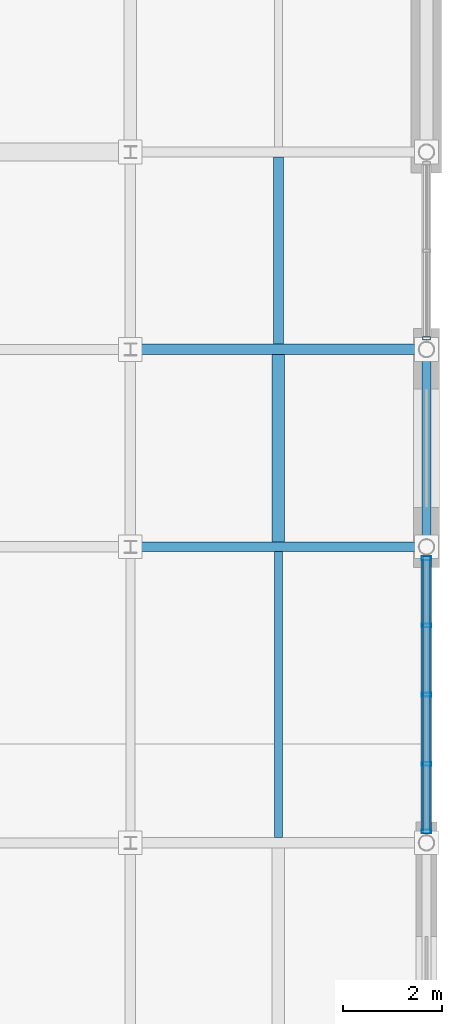
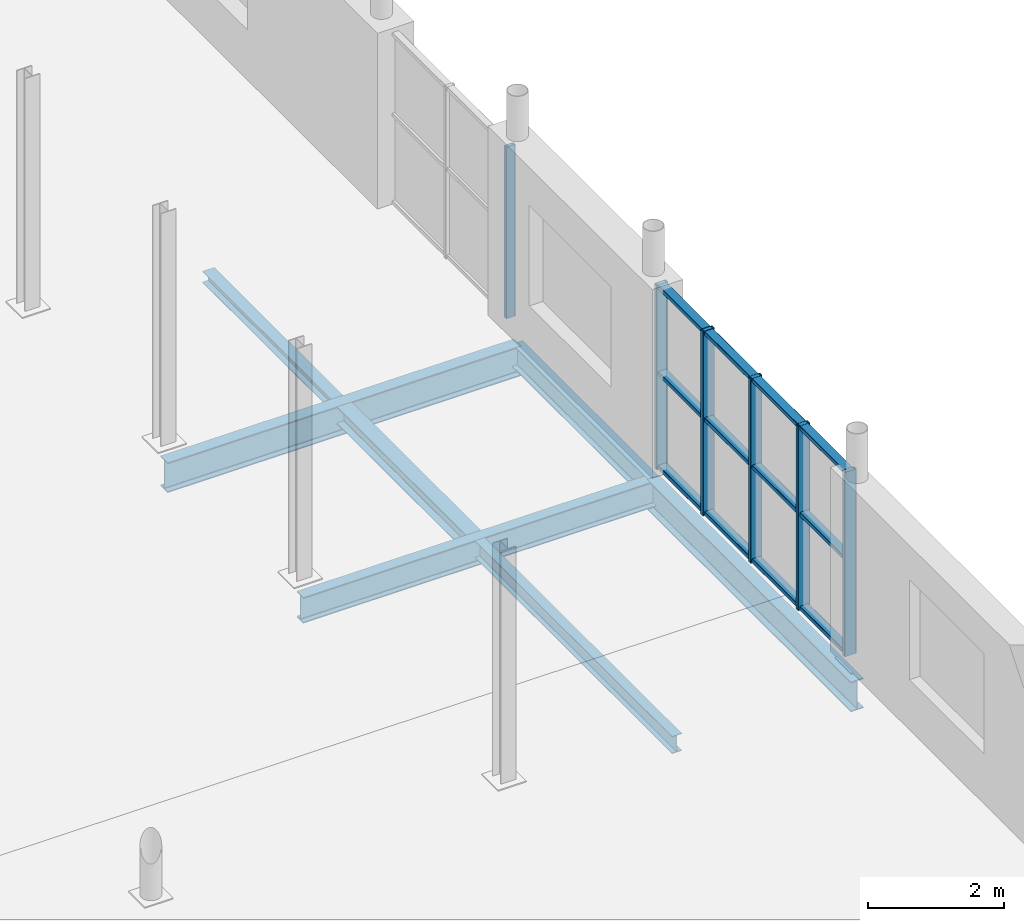
# One storey, part 17 of 30: 9 members, 7 beams, 2 elements without a shape of their own.
"""IFC4 building model written with IfcOpenShell, lengths in metres."""

import ifcopenshell
import ifcopenshell.guid

model = None  # the IFC model being written
_history = None  # IfcOwnerHistory: only IFC2X3 demands one
_inside = {}  # id of a spatial element -> (the spatial element, [elements in it])
_under = {}  # id of a project, library or spatial element -> (it, [spatial elements below it])
_declared = {}  # id of a project -> (the project, [libraries it declares])
_typed = {}  # id of a type object -> (the type object, [elements of that type])
_made_of = {}  # id of a material, layer set ... -> (it, [elements and type objects made of it])


def new_model(schema):
    """Start an empty IFC model of exactly this schema.

    Asked for "IFC4X3", IfcOpenShell would pick the latest addendum, in which some entities
    have other attributes; the version numbers below select the first issue.
    IFC2X3 requires an IfcOwnerHistory on every rooted entity: one is made here for all.
    """
    global model, _history
    if schema == "IFC4X3":
        model = ifcopenshell.file(schema_version=(4, 3, 0, 0))
    else:
        model = ifcopenshell.file(schema=schema)
    _inside.clear()
    _under.clear()
    _declared.clear()
    _typed.clear()
    _made_of.clear()
    _history = None
    if model.schema == "IFC2X3":
        org = make("IfcOrganization", Name="unknown")
        user = make(
            "IfcPersonAndOrganization",
            ThePerson=make("IfcPerson", FamilyName="unknown"),
            TheOrganization=org,
        )
        app = make(
            "IfcApplication",
            ApplicationDeveloper=org,
            Version="unknown",
            ApplicationFullName="unknown",
            ApplicationIdentifier="unknown",
        )
        _history = make(
            "IfcOwnerHistory",
            OwningUser=user,
            OwningApplication=app,
            ChangeAction="ADDED",
            CreationDate=0,
        )
    return model


def make(cls, **values):
    """One entity of the class cls with the attributes given. An attribute that is None is left unset."""
    return model.create_entity(
        cls, **{name: value for name, value in values.items() if value is not None}
    )


def rooted(cls, **values):
    """An entity with a GlobalId (a new one), such as an element, a storey or a relation."""
    return make(cls, GlobalId=ifcopenshell.guid.new(), OwnerHistory=_history, **values)


def si_unit(unit_type, name, prefix=None):
    """IfcSIUnit, for example si_unit("LENGTHUNIT", "METRE", prefix="MILLI")."""
    return make("IfcSIUnit", UnitType=unit_type, Prefix=prefix, Name=name)


def assignment(units):
    """IfcUnitAssignment: the units of a project."""
    return None if units is None else make("IfcUnitAssignment", Units=units)


def point(xyz):
    """IfcCartesianPoint."""
    return None if xyz is None else make("IfcCartesianPoint", Coordinates=xyz)


def direction(xyz):
    """IfcDirection."""
    return None if xyz is None else make("IfcDirection", DirectionRatios=xyz)


def frame(location, z_axis=None, x_axis=None):
    """IfcAxis2Placement3D, a coordinate frame: its origin and axes. An axis left out is left unset."""
    return make(
        "IfcAxis2Placement3D",
        Location=point(location),
        Axis=direction(z_axis),
        RefDirection=direction(x_axis),
    )


def frame_2d(location, x_axis=None):
    """IfcAxis2Placement2D, a coordinate frame in the plane: its origin and x axis."""
    return make(
        "IfcAxis2Placement2D", Location=point(location), RefDirection=direction(x_axis)
    )


def origin():
    """The frame at (0, 0, 0) with its axes left unset."""
    return frame((0.0, 0.0, 0.0))


def origin_2d():
    """The frame at (0, 0) in the plane with its x axis left unset."""
    return frame_2d((0.0, 0.0))


def place(relative_to, where):
    """IfcLocalPlacement: puts the frame where relative to a parent placement (None: the world)."""
    return make(
        "IfcLocalPlacement", PlacementRelTo=relative_to, RelativePlacement=where
    )


def context(
    kind, dimensions, precision=None, world=None, true_north=None, identifier=None
):
    """IfcGeometricRepresentationContext, for example the 3D "Model" context."""
    return make(
        "IfcGeometricRepresentationContext",
        ContextIdentifier=identifier,
        ContextType=kind,
        CoordinateSpaceDimension=dimensions,
        Precision=precision,
        WorldCoordinateSystem=world,
        TrueNorth=true_north,
    )


def subcontext(parent, identifier, kind, view, scale=None):
    """IfcGeometricRepresentationSubContext, for example "Body" below "Model"."""
    return make(
        "IfcGeometricRepresentationSubContext",
        ContextIdentifier=identifier,
        ContextType=kind,
        ParentContext=parent,
        TargetScale=scale,
        TargetView=view,
    )


def project(units=None, contexts=None):
    """IfcProject with its units and contexts."""
    return rooted(
        "IfcProject",
        Name="project",
        RepresentationContexts=contexts,
        UnitsInContext=assignment(units),
    )


def spatial(cls, under=None, at=None, **own):
    """A site, building, storey or space (cls), placed at a placement, below another one or the project."""
    s = rooted(cls, ObjectPlacement=at, **own)
    if under is not None:
        _under.setdefault(under.id(), (under, []))[1].append(s)
    return s


def profile(cls, at=None, kind="AREA", **sizes):
    """A parametric profile (cls). Its sizes go by their IFC names, for example OverallWidth=200.0."""
    return make(cls, ProfileType=kind, Position=at, **sizes)


def hollow_rectangle(**sizes):
    """IfcRectangleHollowProfileDef."""
    return profile("IfcRectangleHollowProfileDef", **sizes)


def i_section(**sizes):
    """IfcIShapeProfileDef."""
    return profile("IfcIShapeProfileDef", **sizes)


def extrude(swept, where, along, depth):
    """IfcExtrudedAreaSolid: the profile swept, set in the frame where, extruded along a direction by depth."""
    return make(
        "IfcExtrudedAreaSolid",
        SweptArea=swept,
        Position=where,
        ExtrudedDirection=direction(along),
        Depth=depth,
    )


def shape(context_of_items, identifier, shape_type, items):
    """IfcShapeRepresentation: the items that make up one representation, for example the "Body"."""
    return make(
        "IfcShapeRepresentation",
        ContextOfItems=context_of_items,
        RepresentationIdentifier=identifier,
        RepresentationType=shape_type,
        Items=items,
    )


def material(Name=None, Category=None):
    """IfcMaterial."""
    return make("IfcMaterial", Name=Name, Category=Category)


def material_profile(
    of_material, cross_section, Name=None, Category=None, Priority=None
):
    """IfcMaterialProfile: a cross section and its material."""
    return make(
        "IfcMaterialProfile",
        Name=Name,
        Material=of_material,
        Profile=cross_section,
        Priority=Priority,
        Category=Category,
    )


def profile_set(profiles, Name=None, composite=None):
    """IfcMaterialProfileSet."""
    return make(
        "IfcMaterialProfileSet",
        Name=Name,
        MaterialProfiles=profiles,
        CompositeProfile=composite,
    )


def made_of(thing, what):
    """Note that an element or type object is made of a material, layer set ...; save() writes the relation."""
    if what is not None:
        _made_of.setdefault(what.id(), (what, []))[1].append(thing)
    return thing


def type_object(cls, material=None, **own):
    """A type object (cls), such as IfcWallType, which elements share."""
    return made_of(rooted(cls, **own), material)


def element(
    cls,
    number,
    at=None,
    inside=None,
    cuts=None,
    type_object=None,
    material=None,
    context=None,
    identifier="Body",
    shape_type=None,
    held_by="IfcProductDefinitionShape",
    body=None,
    shapes=None,
    **own,
):
    """One element of the class cls, such as IfcWall. Its Tag is "e" and its number.

    at: its placement. inside: the storey or other place that contains it. cuts: it is an
    opening in that element (IfcRelVoidsElement). A single representation is given by context,
    identifier, shape_type and body (its items); several are given by shapes. held_by: the class
    of the entity that holds the representations. save() writes the other relations.
    """
    e = rooted(cls, Tag="e%d" % number, ObjectPlacement=at, **own)
    if body is not None:
        shapes = [shape(context, identifier, shape_type, body)]
    if shapes is not None:
        e.Representation = make(held_by, Representations=shapes)
    if inside is not None:
        _inside.setdefault(inside.id(), (inside, []))[1].append(e)
    if cuts is not None:
        rooted(
            "IfcRelVoidsElement", RelatingBuildingElement=cuts, RelatedOpeningElement=e
        )
    if type_object is not None:
        _typed.setdefault(type_object.id(), (type_object, []))[1].append(e)
    return made_of(e, material)


def aggregate(whole, parts):
    """IfcRelAggregates: a whole, such as a stair, and the parts it consists of."""
    return rooted("IfcRelAggregates", RelatingObject=whole, RelatedObjects=parts)


def save(model, path):
    """Write the relations noted so far, then the file.

    IfcRelAggregates (storeys below a building ...), IfcRelContainedInSpatialStructure (elements
    in a storey), IfcRelDefinesByType, IfcRelAssociatesMaterial and IfcRelDeclares: one each for
    every whole, place, type object, material and project.
    """
    for whole, parts in _under.values():
        aggregate(whole, parts)
    for where, things in _inside.values():
        rooted(
            "IfcRelContainedInSpatialStructure",
            RelatedElements=things,
            RelatingStructure=where,
        )
    for kind, things in _typed.values():
        rooted("IfcRelDefinesByType", RelatedObjects=things, RelatingType=kind)
    for what, things in _made_of.values():
        rooted("IfcRelAssociatesMaterial", RelatedObjects=things, RelatingMaterial=what)
    for by, libraries in _declared.values():
        rooted("IfcRelDeclares", RelatingContext=by, RelatedDefinitions=libraries)
    model.write(path)


model = new_model("IFC4")

# Units and contexts
model_context = context("Model", 3, precision=1e-05, world=origin(), true_north=direction((0.0, 1.0)))
body_context = subcontext(model_context, "Body", "Model", "MODEL_VIEW")
ifc_project = project(units=[si_unit("LENGTHUNIT", "METRE"), si_unit("AREAUNIT", "SQUARE_METRE"), si_unit("VOLUMEUNIT", "CUBIC_METRE"), si_unit("PLANEANGLEUNIT", "RADIAN"), si_unit("MASSUNIT", "GRAM", prefix="KILO")], contexts=[model_context])

# Site, building, storey
site_placement = place(None, origin())
site = spatial("IfcSite", under=ifc_project, at=site_placement, CompositionType="ELEMENT")
building_placement = place(site_placement, origin())
building = spatial("IfcBuilding", under=site, at=building_placement, Name="Verrall Gate Interchange", CompositionType="ELEMENT")
storey_placement = place(building_placement, frame((0.0, 0.0, 19.39990234375)))
storey = spatial("IfcBuildingStorey", under=building, at=storey_placement, Name="L05", CompositionType="ELEMENT", Elevation=19.39990234375)

# Beams
ifc_material_1 = material(Name="Structural Steel CSA G40.21 350W", Category="steel")
ifc_material_profile_1 = material_profile(ifc_material_1, i_section(OverallWidth=0.2109375, OverallDepth=0.5390625, WebThickness=0.01171875, FlangeThickness=0.018798828125, FilletRadius=0.013916015625, at=origin_2d()), Name="W530x109")
ifc_profile_set_1 = profile_set([ifc_material_profile_1], Name="Structural Steel CSA G40.21 350W")
beam_type_1 = type_object("IfcBeamType", Name="B-10 Structural Beam W530x109", PredefinedType="BEAM", material=ifc_profile_set_1)
for number, where, z_axis, x_axis, name in (
    (1, (30.0, 44.0, -0.599365234375), (1.0, 0.0, 0.0), (0.0, 1.0, 0.0), "L05 Girder BM-L05-2896 (B-10)"),
    (2, (36.0, 34.0, -0.599365234375), (0.0, 1.0, 0.0), (-1.0, 0.0, 0.0), "L05 Girder BM-L05-2998 (B-10)"),
):
    element("IfcBeam", number, at=place(storey_placement, frame(where, z_axis=z_axis, x_axis=x_axis)), inside=storey, type_object=beam_type_1, Name=name, PredefinedType="BEAM", context=body_context, shape_type="SweptSolid", body=[
        extrude(i_section(OverallWidth=0.2109375, OverallDepth=0.5390625, WebThickness=0.01171875, FlangeThickness=0.018798828125, FilletRadius=0.013916015625, at=origin_2d()), origin(), (0.0, 0.0, 1.0), 6.0),
    ])
ifc_material_2 = material(Name="Structural Steel CSA G40.21 350W", Category="steel")
ifc_material_profile_2 = material_profile(ifc_material_2, i_section(OverallWidth=0.19189453125, OverallDepth=0.462890625, WebThickness=0.010498046875, FlangeThickness=0.017578125, FilletRadius=0.012939453125, at=origin_2d()), Name="W460x89")
ifc_profile_set_2 = profile_set([ifc_material_profile_2], Name="Structural Steel CSA G40.21 350W")
beam_type_2 = type_object("IfcBeamType", Name="B-11 Structural Beam W460x89", PredefinedType="BEAM", material=ifc_profile_set_2)
beam_1_placement = place(storey_placement, frame((30.0, 40.0, -0.5615234375), z_axis=(1.0, 0.0, 0.0), x_axis=(0.0, 1.0, 0.0)))
element("IfcBeam", 3, at=beam_1_placement, inside=storey, type_object=beam_type_2, Name="L05 Girder BM-L05-2890 (B-11)", PredefinedType="BEAM", context=body_context, shape_type="SweptSolid", body=[
    extrude(i_section(OverallWidth=0.19189453125, OverallDepth=0.462890625, WebThickness=0.010498046875, FlangeThickness=0.017578125, FilletRadius=0.012939453125, at=origin_2d()), origin(), (0.0, 0.0, 1.0), 6.0),
])
ifc_material_3 = material(Name="Structural Steel CSA G40.21 350W", Category="steel")
ifc_material_profile_3 = material_profile(ifc_material_3, i_section(OverallWidth=0.178955078125, OverallDepth=0.409912109375, WebThickness=0.0087890625, FlangeThickness=0.014404296875, FilletRadius=0.011962890625, at=origin_2d()), Name="W410x67")
ifc_profile_set_3 = profile_set([ifc_material_profile_3], Name="Structural Steel CSA G40.21 350W")
beam_type_3 = type_object("IfcBeamType", Name="B-12 Structural Beam W410x67", PredefinedType="BEAM", material=ifc_profile_set_3)
beam_2_placement = place(storey_placement, frame((36.0, 40.0, -0.534912109375), z_axis=(0.0, 1.0, 0.0), x_axis=(-1.0, 0.0, 0.0)))
element("IfcBeam", 4, at=beam_2_placement, inside=storey, type_object=beam_type_3, Name="L05 Girder BM-L05-2999 (B-12)", PredefinedType="BEAM", context=body_context, shape_type="SweptSolid", body=[
    extrude(i_section(OverallWidth=0.178955078125, OverallDepth=0.409912109375, WebThickness=0.0087890625, FlangeThickness=0.014404296875, FilletRadius=0.011962890625, at=origin_2d()), origin(), (0.0, 0.0, 1.0), 4.0),
])

# Curtain wall, member
ifc_material_4 = material(Name="Thermally Broken Anodized Aluminium Curtain Wall Framing", Category="aluminium")
curtain_wall_type_1 = type_object("IfcCurtainWallType", Name="CW-17 Unitized Curtain Wall 3631x3100", PredefinedType="NOTDEFINED", material=ifc_material_4)
curtain_wall_1_placement = place(storey_placement, origin())
curtain_wall_1 = element("IfcCurtainWall", 5, at=curtain_wall_1_placement, inside=storey, type_object=curtain_wall_type_1, Name="L05 Unitized Curtain Wall CW-L05-136", PredefinedType="NOTDEFINED")
ifc_material_5 = material(Name="Thermally Broken Anodized Aluminium Curtain Wall Framing", Category="aluminium")
ifc_material_profile_4 = material_profile(ifc_material_5, hollow_rectangle(XDim=0.06494140625, YDim=0.159912109375, WallThickness=0.00390625, InnerFilletRadius=0.00390625, OuterFilletRadius=0.008056640625, at=origin_2d()), Name="CWM160x65x4")
ifc_profile_set_4 = profile_set([ifc_material_profile_4], Name="Thermally Broken Anodized Aluminium Curtain Wall Framing")
member_type_1 = type_object("IfcMemberType", Name="CM-01 Curtain Mullion CWM160x65x4", PredefinedType="MULLION", material=ifc_profile_set_4)
member_1_placement = place(storey_placement, frame((36.0, 44.226318359375, 0.0), z_axis=(0.0, 0.0, 1.0), x_axis=(0.0, 1.0, 0.0)))
member_1 = element("IfcMember", 6, at=member_1_placement, type_object=member_type_1, Name="CW-L05-136 Mullion 1", PredefinedType="MULLION", context=body_context, shape_type="SweptSolid", body=[
    extrude(hollow_rectangle(XDim=0.06494140625, YDim=0.159912109375, WallThickness=0.00390625, InnerFilletRadius=0.00390625, OuterFilletRadius=0.008056640625, at=origin_2d()), origin(), (0.0, 0.0, 1.0), 3.080078125),
])
aggregate(curtain_wall_1, [member_1])

# Curtain wall, members
ifc_material_6 = material(Name="Thermally Broken Anodized Aluminium Curtain Wall Framing", Category="aluminium")
curtain_wall_type_2 = type_object("IfcCurtainWallType", Name="CW-43 Unitized Curtain Wall 5612x3310", PredefinedType="NOTDEFINED", material=ifc_material_6)
curtain_wall_2_placement = place(storey_placement, origin())
curtain_wall_2 = element("IfcCurtainWall", 7, at=curtain_wall_2_placement, inside=storey, type_object=curtain_wall_type_2, Name="L05 Unitized Curtain Wall CW-L05-135", PredefinedType="NOTDEFINED")
ifc_material_7 = material(Name="Thermally Broken Anodized Aluminium Curtain Wall Framing", Category="aluminium")
ifc_material_profile_5 = material_profile(ifc_material_7, hollow_rectangle(XDim=0.074951171875, YDim=0.199951171875, WallThickness=0.0048828125, InnerFilletRadius=0.0048828125, OuterFilletRadius=0.010009765625, at=origin_2d()), Name="CWM200x75x5")
ifc_profile_set_5 = profile_set([ifc_material_profile_5], Name="Thermally Broken Anodized Aluminium Curtain Wall Framing")
member_type_2 = type_object("IfcMemberType", Name="CM-02 Curtain Mullion CWM200x75x5", PredefinedType="MULLION", material=ifc_profile_set_5)
member_2_placement = place(storey_placement, frame((36.0, 34.2314453125, 0.0), z_axis=(0.0, 0.0, 1.0), x_axis=(0.0, 1.0, 0.0)))
member_2 = element("IfcMember", 8, at=member_2_placement, type_object=member_type_2, Name="CW-L05-135 Mullion 1", PredefinedType="MULLION", context=body_context, shape_type="SweptSolid", body=[
    extrude(hollow_rectangle(XDim=0.074951171875, YDim=0.199951171875, WallThickness=0.0048828125, InnerFilletRadius=0.0048828125, OuterFilletRadius=0.010009765625, at=origin_2d()), origin(), (0.0, 0.0, 1.0), 3.31005859375),
])
member_3_placement = place(storey_placement, frame((36.0, 35.596923828125, 0.0), z_axis=(0.0, 0.0, 1.0), x_axis=(0.0, 1.0, 0.0)))
member_3 = element("IfcMember", 9, at=member_3_placement, type_object=member_type_2, Name="CW-L05-135 Mullion 2", PredefinedType="MULLION", context=body_context, shape_type="SweptSolid", body=[
    extrude(hollow_rectangle(XDim=0.074951171875, YDim=0.199951171875, WallThickness=0.0048828125, InnerFilletRadius=0.0048828125, OuterFilletRadius=0.010009765625, at=origin_2d()), origin(), (0.0, 0.0, 1.0), 3.31005859375),
])
member_4_placement = place(storey_placement, frame((36.0, 37.0, 0.0), z_axis=(0.0, 0.0, 1.0), x_axis=(0.0, 1.0, 0.0)))
member_4 = element("IfcMember", 10, at=member_4_placement, type_object=member_type_2, Name="CW-L05-135 Mullion 3", PredefinedType="MULLION", context=body_context, shape_type="SweptSolid", body=[
    extrude(hollow_rectangle(XDim=0.074951171875, YDim=0.199951171875, WallThickness=0.0048828125, InnerFilletRadius=0.0048828125, OuterFilletRadius=0.010009765625, at=origin_2d()), origin(), (0.0, 0.0, 1.0), 3.31005859375),
])
member_5_placement = place(storey_placement, frame((36.0, 38.403076171875, 0.0), z_axis=(0.0, 0.0, 1.0), x_axis=(0.0, 1.0, 0.0)))
member_5 = element("IfcMember", 11, at=member_5_placement, type_object=member_type_2, Name="CW-L05-135 Mullion 4", PredefinedType="MULLION", context=body_context, shape_type="SweptSolid", body=[
    extrude(hollow_rectangle(XDim=0.074951171875, YDim=0.199951171875, WallThickness=0.0048828125, InnerFilletRadius=0.0048828125, OuterFilletRadius=0.010009765625, at=origin_2d()), origin(), (0.0, 0.0, 1.0), 3.31005859375),
])
member_6_placement = place(storey_placement, frame((36.0, 39.7685546875, 0.0), z_axis=(0.0, 0.0, 1.0), x_axis=(0.0, 1.0, 0.0)))
member_6 = element("IfcMember", 12, at=member_6_placement, type_object=member_type_2, Name="CW-L05-135 Mullion 5", PredefinedType="MULLION", context=body_context, shape_type="SweptSolid", body=[
    extrude(hollow_rectangle(XDim=0.074951171875, YDim=0.199951171875, WallThickness=0.0048828125, InnerFilletRadius=0.0048828125, OuterFilletRadius=0.010009765625, at=origin_2d()), origin(), (0.0, 0.0, 1.0), 3.31005859375),
])
ifc_material_8 = material(Name="Thermally Broken Anodized Aluminium Curtain Wall Framing", Category="aluminium")
ifc_material_profile_6 = material_profile(ifc_material_8, hollow_rectangle(XDim=0.14990234375, YDim=0.074951171875, WallThickness=0.00439453125, InnerFilletRadius=0.00439453125, OuterFilletRadius=0.009033203125, at=origin_2d()), Name="CWT150x75x4.5")
ifc_profile_set_6 = profile_set([ifc_material_profile_6], Name="Thermally Broken Anodized Aluminium Curtain Wall Framing")
member_type_3 = type_object("IfcMemberType", Name="CT-02 Curtain Transom CWT150x75x4.5", PredefinedType="USERDEFINED", material=ifc_profile_set_6)
member_7_placement = place(storey_placement, frame((36.0, 34.19384765625, 0.03759765625), z_axis=(0.0, 1.0, 0.0), x_axis=(-1.0, 0.0, 0.0)))
member_7 = element("IfcMember", 13, at=member_7_placement, type_object=member_type_3, Name="CW-L05-135 Transom 1", ObjectType="TRANSOM", PredefinedType="USERDEFINED", context=body_context, shape_type="SweptSolid", body=[
    extrude(hollow_rectangle(XDim=0.14990234375, YDim=0.074951171875, WallThickness=0.00439453125, InnerFilletRadius=0.00439453125, OuterFilletRadius=0.009033203125, at=origin_2d()), origin(), (0.0, 0.0, 1.0), 5.6123046875),
])
member_8_placement = place(storey_placement, frame((36.0, 34.19384765625, 1.72119140625), z_axis=(0.0, 1.0, 0.0), x_axis=(-1.0, 0.0, 0.0)))
member_8 = element("IfcMember", 14, at=member_8_placement, type_object=member_type_3, Name="CW-L05-135 Transom 2", ObjectType="TRANSOM", PredefinedType="USERDEFINED", context=body_context, shape_type="SweptSolid", body=[
    extrude(hollow_rectangle(XDim=0.14990234375, YDim=0.074951171875, WallThickness=0.00439453125, InnerFilletRadius=0.00439453125, OuterFilletRadius=0.009033203125, at=origin_2d()), origin(), (0.0, 0.0, 1.0), 5.6123046875),
])
member_9_placement = place(storey_placement, frame((36.0, 34.19384765625, 3.272705078125), z_axis=(0.0, 1.0, 0.0), x_axis=(-1.0, 0.0, 0.0)))
member_9 = element("IfcMember", 15, at=member_9_placement, type_object=member_type_3, Name="CW-L05-135 Transom 3", ObjectType="TRANSOM", PredefinedType="USERDEFINED", context=body_context, shape_type="SweptSolid", body=[
    extrude(hollow_rectangle(XDim=0.14990234375, YDim=0.074951171875, WallThickness=0.00439453125, InnerFilletRadius=0.00439453125, OuterFilletRadius=0.009033203125, at=origin_2d()), origin(), (0.0, 0.0, 1.0), 5.6123046875),
])
aggregate(curtain_wall_2, [member_2, member_3, member_4, member_5, member_6, member_7, member_8, member_9])

# Beams
ifc_material_9 = material(Name="Structural Steel CSA G40.21 350W", Category="steel")
ifc_material_profile_7 = material_profile(ifc_material_9, i_section(OverallWidth=0.25390625, OverallDepth=0.305908203125, WebThickness=0.0087890625, FlangeThickness=0.0146484375, FilletRadius=0.012939453125, at=origin_2d()), Name="W310x79")
ifc_profile_set_7 = profile_set([ifc_material_profile_7], Name="Structural Steel CSA G40.21 350W")
beam_type_4 = type_object("IfcBeamType", Name="J-03 Floor Joist W310x79", PredefinedType="JOIST", material=ifc_profile_set_7)
beam_3_placement = place(storey_placement, frame((33.0, 40.095947265625, -0.48291015625), z_axis=(0.0, 1.0, 0.0), x_axis=(-1.0, 0.0, 0.0)))
element("IfcBeam", 16, at=beam_3_placement, inside=storey, type_object=beam_type_4, Name="L05 Secondary Floor Joist JST-L05-3035", PredefinedType="JOIST", context=body_context, shape_type="SweptSolid", body=[
    extrude(i_section(OverallWidth=0.25390625, OverallDepth=0.305908203125, WebThickness=0.0087890625, FlangeThickness=0.0146484375, FilletRadius=0.012939453125, at=origin_2d()), origin(), (0.0, 0.0, 1.0), 3.798583984375),
])
ifc_material_10 = material(Name="Structural Steel CSA G40.21 350W", Category="steel")
ifc_material_profile_8 = material_profile(ifc_material_10, i_section(OverallWidth=0.1650390625, OverallDepth=0.31005859375, WebThickness=0.005859375, FlangeThickness=0.009765625, FilletRadius=0.010009765625, at=origin_2d()), Name="W310x39")
ifc_profile_set_8 = profile_set([ifc_material_profile_8], Name="Structural Steel CSA G40.21 350W")
beam_type_5 = type_object("IfcBeamType", Name="J-04 Floor Joist W310x39", PredefinedType="JOIST", material=ifc_profile_set_8)
beam_4_placement = place(storey_placement, frame((33.0, 34.10546875, -0.48486328125), z_axis=(0.0, 1.0, 0.0), x_axis=(-1.0, 0.0, 0.0)))
element("IfcBeam", 17, at=beam_4_placement, inside=storey, type_object=beam_type_5, Name="L05 Secondary Floor Joist JST-L05-3031", PredefinedType="JOIST", context=body_context, shape_type="SweptSolid", body=[
    extrude(i_section(OverallWidth=0.1650390625, OverallDepth=0.31005859375, WebThickness=0.005859375, FlangeThickness=0.009765625, FilletRadius=0.010009765625, at=origin_2d()), origin(), (0.0, 0.0, 1.0), 5.798583984375),
])
ifc_material_11 = material(Name="Structural Steel CSA G40.21 350W", Category="steel")
ifc_material_profile_9 = material_profile(ifc_material_11, i_section(OverallWidth=0.202880859375, OverallDepth=0.202880859375, WebThickness=0.007080078125, FlangeThickness=0.010986328125, FilletRadius=0.010009765625, at=origin_2d()), Name="W200x46")
ifc_profile_set_9 = profile_set([ifc_material_profile_9], Name="Structural Steel CSA G40.21 350W")
beam_type_6 = type_object("IfcBeamType", Name="J-07 Floor Joist W200x46", PredefinedType="JOIST", material=ifc_profile_set_9)
beam_5_placement = place(storey_placement, frame((33.0, 44.10546875, -0.431396484375), z_axis=(0.0, 1.0, 0.0), x_axis=(-1.0, 0.0, 0.0)))
element("IfcBeam", 18, at=beam_5_placement, inside=storey, type_object=beam_type_6, Name="L05 Secondary Floor Joist JST-L05-3040", PredefinedType="JOIST", context=body_context, shape_type="SweptSolid", body=[
    extrude(i_section(OverallWidth=0.202880859375, OverallDepth=0.202880859375, WebThickness=0.007080078125, FlangeThickness=0.010986328125, FilletRadius=0.010009765625, at=origin_2d()), origin(), (0.0, 0.0, 1.0), 3.7919921875),
])

save(model, "model.ifc")
